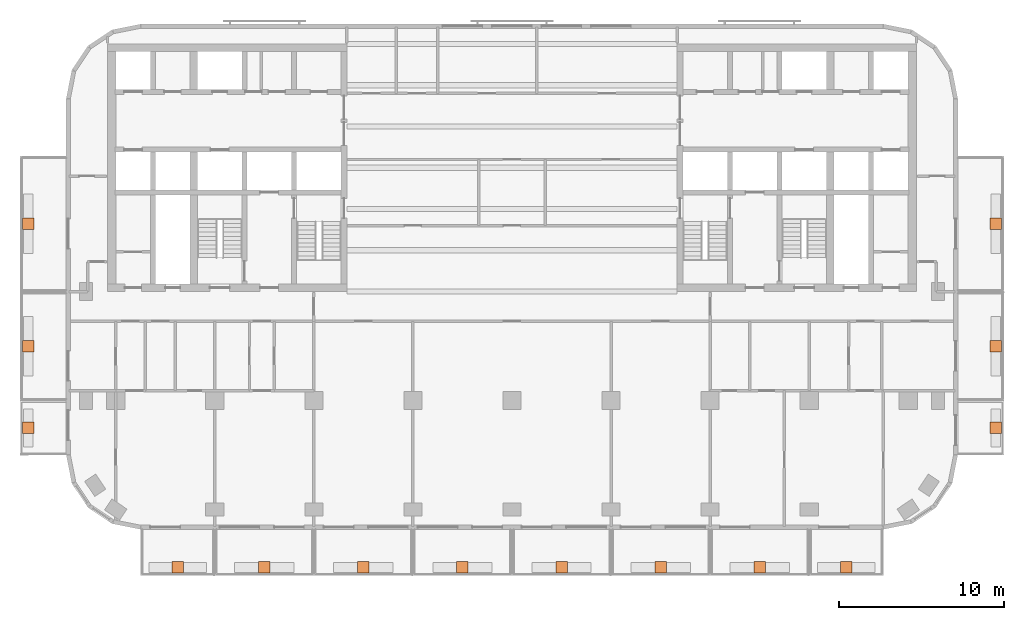
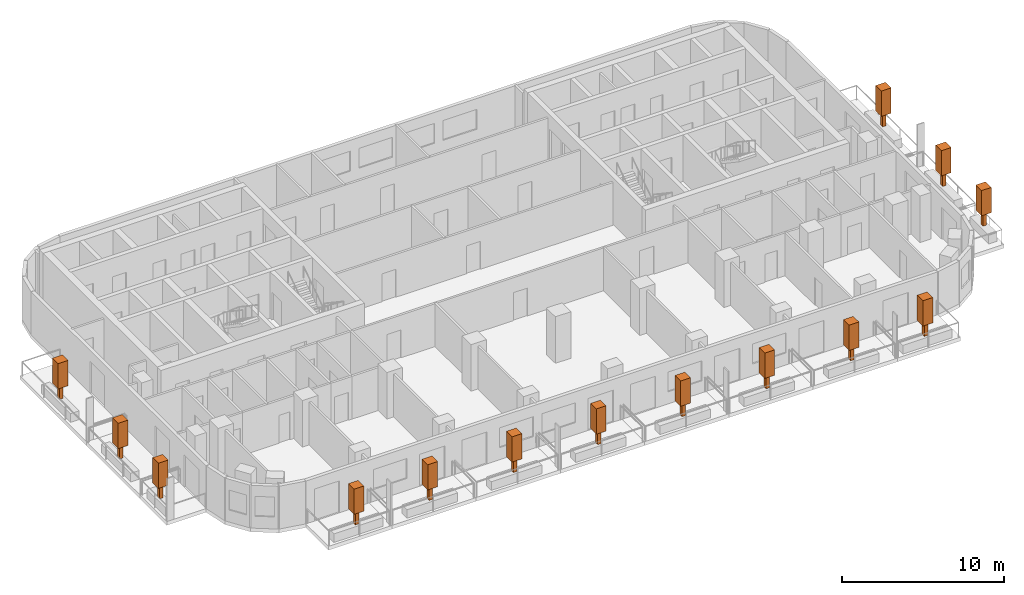
# One storey, part 11 of 11: 14 geographic elements.
"""IFC4 building model written with IfcOpenShell, lengths in metres."""

import ifcopenshell
import ifcopenshell.guid

model = None  # the IFC model being written
_history = None  # IfcOwnerHistory: only IFC2X3 demands one
_inside = {}  # id of a spatial element -> (the spatial element, [elements in it])
_under = {}  # id of a project, library or spatial element -> (it, [spatial elements below it])
_declared = {}  # id of a project -> (the project, [libraries it declares])
_typed = {}  # id of a type object -> (the type object, [elements of that type])
_made_of = {}  # id of a material, layer set ... -> (it, [elements and type objects made of it])


def new_model(schema):
    """Start an empty IFC model of exactly this schema.

    Asked for "IFC4X3", IfcOpenShell would pick the latest addendum, in which some entities
    have other attributes; the version numbers below select the first issue.
    IFC2X3 requires an IfcOwnerHistory on every rooted entity: one is made here for all.
    """
    global model, _history
    if schema == "IFC4X3":
        model = ifcopenshell.file(schema_version=(4, 3, 0, 0))
    else:
        model = ifcopenshell.file(schema=schema)
    _inside.clear()
    _under.clear()
    _declared.clear()
    _typed.clear()
    _made_of.clear()
    _history = None
    if model.schema == "IFC2X3":
        org = make("IfcOrganization", Name="unknown")
        user = make(
            "IfcPersonAndOrganization",
            ThePerson=make("IfcPerson", FamilyName="unknown"),
            TheOrganization=org,
        )
        app = make(
            "IfcApplication",
            ApplicationDeveloper=org,
            Version="unknown",
            ApplicationFullName="unknown",
            ApplicationIdentifier="unknown",
        )
        _history = make(
            "IfcOwnerHistory",
            OwningUser=user,
            OwningApplication=app,
            ChangeAction="ADDED",
            CreationDate=0,
        )
    return model


def make(cls, **values):
    """One entity of the class cls with the attributes given. An attribute that is None is left unset."""
    return model.create_entity(
        cls, **{name: value for name, value in values.items() if value is not None}
    )


def rooted(cls, **values):
    """An entity with a GlobalId (a new one), such as an element, a storey or a relation."""
    return make(cls, GlobalId=ifcopenshell.guid.new(), OwnerHistory=_history, **values)


def si_unit(unit_type, name, prefix=None):
    """IfcSIUnit, for example si_unit("LENGTHUNIT", "METRE", prefix="MILLI")."""
    return make("IfcSIUnit", UnitType=unit_type, Prefix=prefix, Name=name)


def assignment(units):
    """IfcUnitAssignment: the units of a project."""
    return None if units is None else make("IfcUnitAssignment", Units=units)


def point(xyz):
    """IfcCartesianPoint."""
    return None if xyz is None else make("IfcCartesianPoint", Coordinates=xyz)


def direction(xyz):
    """IfcDirection."""
    return None if xyz is None else make("IfcDirection", DirectionRatios=xyz)


def frame(location, z_axis=None, x_axis=None):
    """IfcAxis2Placement3D, a coordinate frame: its origin and axes. An axis left out is left unset."""
    return make(
        "IfcAxis2Placement3D",
        Location=point(location),
        Axis=direction(z_axis),
        RefDirection=direction(x_axis),
    )


def frame_2d(location, x_axis=None):
    """IfcAxis2Placement2D, a coordinate frame in the plane: its origin and x axis."""
    return make(
        "IfcAxis2Placement2D", Location=point(location), RefDirection=direction(x_axis)
    )


def origin():
    """The frame at (0, 0, 0) with its axes left unset."""
    return frame((0.0, 0.0, 0.0))


def origin_2d():
    """The frame at (0, 0) in the plane with its x axis left unset."""
    return frame_2d((0.0, 0.0))


def place(relative_to, where):
    """IfcLocalPlacement: puts the frame where relative to a parent placement (None: the world)."""
    return make(
        "IfcLocalPlacement", PlacementRelTo=relative_to, RelativePlacement=where
    )


def context(
    kind, dimensions, precision=None, world=None, true_north=None, identifier=None
):
    """IfcGeometricRepresentationContext, for example the 3D "Model" context."""
    return make(
        "IfcGeometricRepresentationContext",
        ContextIdentifier=identifier,
        ContextType=kind,
        CoordinateSpaceDimension=dimensions,
        Precision=precision,
        WorldCoordinateSystem=world,
        TrueNorth=true_north,
    )


def subcontext(parent, identifier, kind, view, scale=None):
    """IfcGeometricRepresentationSubContext, for example "Body" below "Model"."""
    return make(
        "IfcGeometricRepresentationSubContext",
        ContextIdentifier=identifier,
        ContextType=kind,
        ParentContext=parent,
        TargetScale=scale,
        TargetView=view,
    )


def project(units=None, contexts=None):
    """IfcProject with its units and contexts."""
    return rooted(
        "IfcProject",
        Name="project",
        RepresentationContexts=contexts,
        UnitsInContext=assignment(units),
    )


def spatial(cls, under=None, at=None, **own):
    """A site, building, storey or space (cls), placed at a placement, below another one or the project."""
    s = rooted(cls, ObjectPlacement=at, **own)
    if under is not None:
        _under.setdefault(under.id(), (under, []))[1].append(s)
    return s


def profile(cls, at=None, kind="AREA", **sizes):
    """A parametric profile (cls). Its sizes go by their IFC names, for example OverallWidth=200.0."""
    return make(cls, ProfileType=kind, Position=at, **sizes)


def rectangle(**sizes):
    """IfcRectangleProfileDef."""
    return profile("IfcRectangleProfileDef", **sizes)


def extrude(swept, where, along, depth):
    """IfcExtrudedAreaSolid: the profile swept, set in the frame where, extruded along a direction by depth."""
    return make(
        "IfcExtrudedAreaSolid",
        SweptArea=swept,
        Position=where,
        ExtrudedDirection=direction(along),
        Depth=depth,
    )


def shape(context_of_items, identifier, shape_type, items):
    """IfcShapeRepresentation: the items that make up one representation, for example the "Body"."""
    return make(
        "IfcShapeRepresentation",
        ContextOfItems=context_of_items,
        RepresentationIdentifier=identifier,
        RepresentationType=shape_type,
        Items=items,
    )


def material(Name=None, Category=None):
    """IfcMaterial."""
    return make("IfcMaterial", Name=Name, Category=Category)


def made_of(thing, what):
    """Note that an element or type object is made of a material, layer set ...; save() writes the relation."""
    if what is not None:
        _made_of.setdefault(what.id(), (what, []))[1].append(thing)
    return thing


def element(
    cls,
    number,
    at=None,
    inside=None,
    cuts=None,
    type_object=None,
    material=None,
    context=None,
    identifier="Body",
    shape_type=None,
    held_by="IfcProductDefinitionShape",
    body=None,
    shapes=None,
    **own,
):
    """One element of the class cls, such as IfcWall. Its Tag is "e" and its number.

    at: its placement. inside: the storey or other place that contains it. cuts: it is an
    opening in that element (IfcRelVoidsElement). A single representation is given by context,
    identifier, shape_type and body (its items); several are given by shapes. held_by: the class
    of the entity that holds the representations. save() writes the other relations.
    """
    e = rooted(cls, Tag="e%d" % number, ObjectPlacement=at, **own)
    if body is not None:
        shapes = [shape(context, identifier, shape_type, body)]
    if shapes is not None:
        e.Representation = make(held_by, Representations=shapes)
    if inside is not None:
        _inside.setdefault(inside.id(), (inside, []))[1].append(e)
    if cuts is not None:
        rooted(
            "IfcRelVoidsElement", RelatingBuildingElement=cuts, RelatedOpeningElement=e
        )
    if type_object is not None:
        _typed.setdefault(type_object.id(), (type_object, []))[1].append(e)
    return made_of(e, material)


def aggregate(whole, parts):
    """IfcRelAggregates: a whole, such as a stair, and the parts it consists of."""
    return rooted("IfcRelAggregates", RelatingObject=whole, RelatedObjects=parts)


def save(model, path):
    """Write the relations noted so far, then the file.

    IfcRelAggregates (storeys below a building ...), IfcRelContainedInSpatialStructure (elements
    in a storey), IfcRelDefinesByType, IfcRelAssociatesMaterial and IfcRelDeclares: one each for
    every whole, place, type object, material and project.
    """
    for whole, parts in _under.values():
        aggregate(whole, parts)
    for where, things in _inside.values():
        rooted(
            "IfcRelContainedInSpatialStructure",
            RelatedElements=things,
            RelatingStructure=where,
        )
    for kind, things in _typed.values():
        rooted("IfcRelDefinesByType", RelatedObjects=things, RelatingType=kind)
    for what, things in _made_of.values():
        rooted("IfcRelAssociatesMaterial", RelatedObjects=things, RelatingMaterial=what)
    for by, libraries in _declared.values():
        rooted("IfcRelDeclares", RelatingContext=by, RelatedDefinitions=libraries)
    model.write(path)


model = new_model("IFC4")

# Units and contexts
model_context = context("Model", 3, precision=1e-05, world=origin(), true_north=direction((0.0, 1.0)))
body_context = subcontext(model_context, "Body", "Model", "MODEL_VIEW")
ifc_project = project(units=[si_unit("LENGTHUNIT", "METRE"), si_unit("AREAUNIT", "SQUARE_METRE"), si_unit("VOLUMEUNIT", "CUBIC_METRE"), si_unit("PLANEANGLEUNIT", "RADIAN"), si_unit("MASSUNIT", "GRAM", prefix="KILO")], contexts=[model_context])

# Site, building, storey
site_placement = place(None, origin())
site = spatial("IfcSite", under=ifc_project, at=site_placement, CompositionType="ELEMENT")
building_placement = place(site_placement, origin())
building = spatial("IfcBuilding", under=site, at=building_placement, Name="Torana Hotel and Residences", CompositionType="ELEMENT")
storey_placement = place(building_placement, frame((0.0, 0.0, 222.10009765625)))
storey = spatial("IfcBuildingStorey", under=building, at=storey_placement, Name="L58", CompositionType="ELEMENT", Elevation=222.10009765625)

# Geographic elements
ifc_material = material(Name="Foliage", Category="planting")
for number, where, z_axis, x_axis, name in (
    (1, (-20.25, -31.699951171875, 0.64990234375), (0.0, 0.0, 1.0), (1.0, 0.0, 0.0), "Tree 01"),
    (2, (-15.0, -31.699951171875, 0.64990234375), (0.0, 0.0, 1.0), (1.0, 0.0, 0.0), "Tree 02"),
    (3, (-9.0, -31.699951171875, 0.64990234375), (0.0, 0.0, 1.0), (1.0, 0.0, 0.0), "Tree 03"),
    (4, (-3.0, -31.699951171875, 0.64990234375), (0.0, 0.0, 1.0), (1.0, 0.0, 0.0), "Tree 04"),
    (5, (3.0, -31.699951171875, 0.64990234375), (0.0, 0.0, 1.0), (1.0, 0.0, 0.0), "Tree 05"),
    (6, (9.0, -31.699951171875, 0.64990234375), (0.0, 0.0, 1.0), (1.0, 0.0, 0.0), "Tree 06"),
    (7, (15.0, -31.699951171875, 0.64990234375), (0.0, 0.0, 1.0), (1.0, 0.0, 0.0), "Tree 07"),
    (8, (20.25, -31.699951171875, 0.64990234375), (0.0, 0.0, 1.0), (1.0, 0.0, 0.0), "Tree 08"),
    (9, (-29.300048828125, -23.25, 0.64990234375), (0.0, 0.0, 1.0), (1.0, 0.0, 0.0), "Tree 09"),
    (10, (-29.300048828125, -18.300048828125, 0.64990234375), (0.0, 0.0, 1.0), (1.0, 0.0, 0.0), "Tree 10"),
    (11, (-29.300048828125, -10.89990234375, 0.64990234375), (0.0, 0.0, 1.0), (1.0, 0.0, 0.0), "Tree 11"),
    (12, (29.300048828125, -23.25, 0.64990234375), (0.0, 0.0, 1.0), (1.0, 0.0, 0.0), "Tree 12"),
    (13, (29.300048828125, -18.300048828125, 0.64990234375), (0.0, 0.0, 1.0), (1.0, 0.0, 0.0), "Tree 13"),
    (14, (29.300048828125, -10.89990234375, 0.64990234375), (0.0, 0.0, 1.0), (1.0, 0.0, 0.0), "Tree 14"),
):
    element("IfcGeographicElement", number, at=place(storey_placement, frame(where, z_axis=z_axis, x_axis=x_axis)), inside=storey, material=ifc_material, Name=name, ObjectType="TREE", PredefinedType="USERDEFINED", context=body_context, shape_type="SweptSolid", body=[
        extrude(rectangle(XDim=0.25, YDim=0.25, at=origin_2d()), origin(), (0.0, 0.0, 1.0), 1.0),
        extrude(rectangle(XDim=0.699951171875, YDim=0.699951171875, at=origin_2d()), frame((0.0, 0.0, 1.0)), (0.0, 0.0, 1.0), 1.89990234375),
    ])

save(model, "model.ifc")
